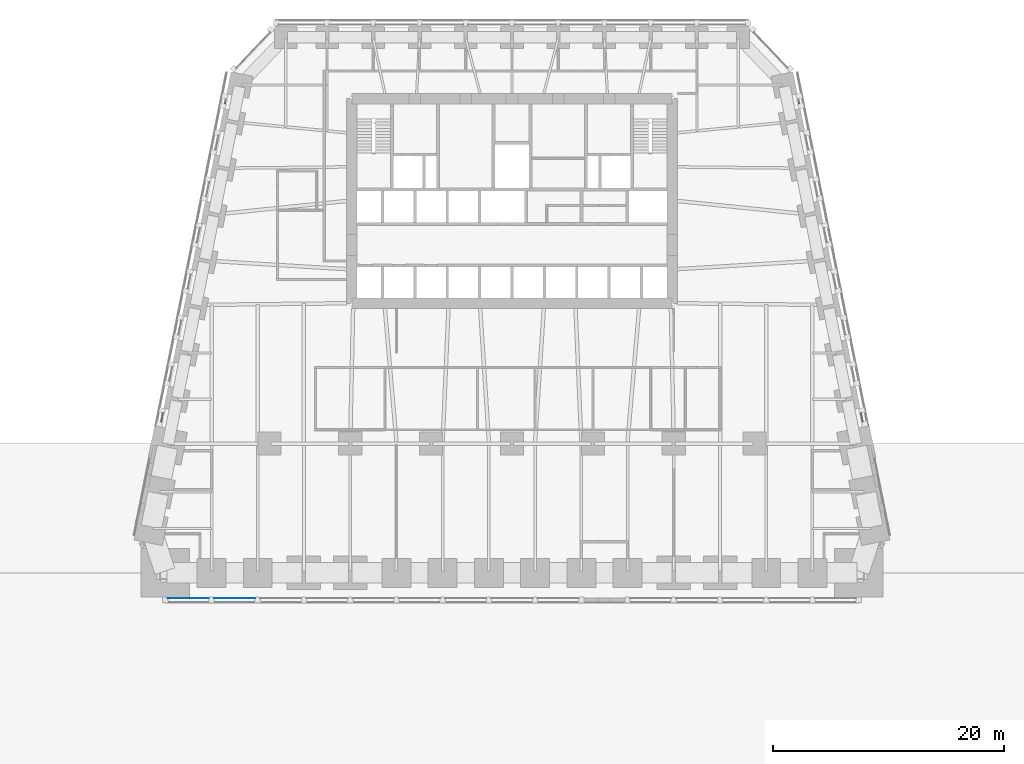
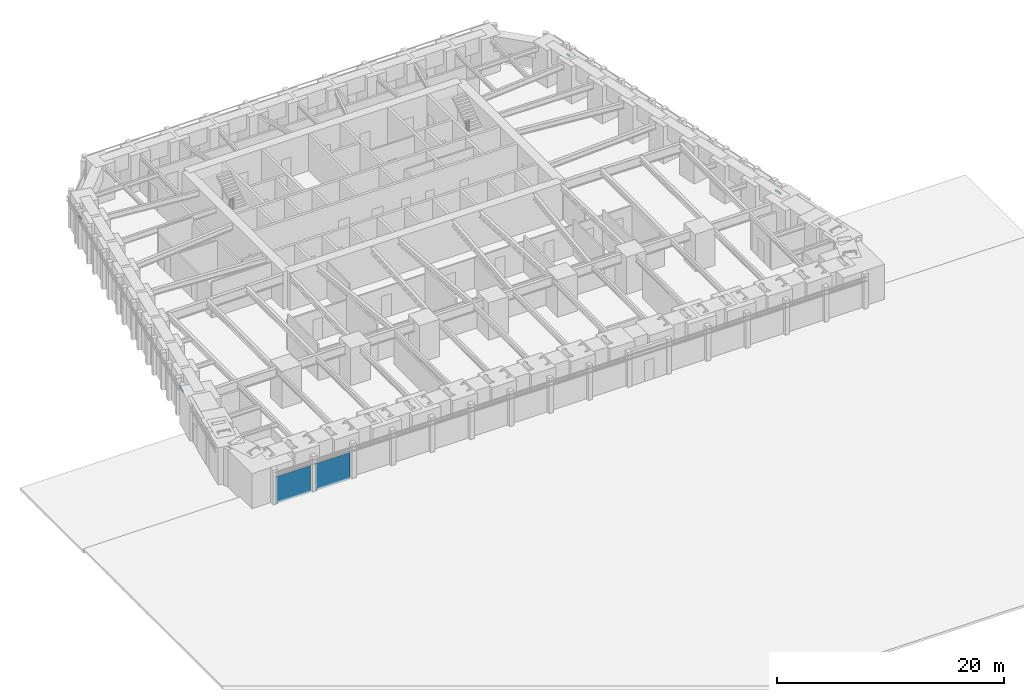
# One storey, part 5 of 18: 4 members, 2 plates, 5 elements without a shape of their own.
"""IFC4 building model written with IfcOpenShell, lengths in metres."""

from ifc_helpers import new_model, si_unit, direction, frame, origin, origin_2d, place, context, subcontext, project, spatial, rectangle, extrude, material, layer, layer_set, material_profile, profile_set, type_object, element, aggregate, save


model = new_model("IFC4")

# Units and contexts
model_context = context("Model", 3, precision=1e-05, world=origin(), true_north=direction((0.0, 1.0)))
body_context = subcontext(model_context, "Body", "Model", "MODEL_VIEW")
ifc_project = project(units=[si_unit("LENGTHUNIT", "METRE"), si_unit("AREAUNIT", "SQUARE_METRE"), si_unit("VOLUMEUNIT", "CUBIC_METRE"), si_unit("PLANEANGLEUNIT", "RADIAN"), si_unit("MASSUNIT", "GRAM", prefix="KILO")], contexts=[model_context])

# Site, building, storey
site_placement = place(None, origin())
site = spatial("IfcSite", under=ifc_project, at=site_placement, CompositionType="ELEMENT")
building_placement = place(site_placement, origin())
building = spatial("IfcBuilding", under=site, at=building_placement, Name="Isbrekke Arena Tower", CompositionType="ELEMENT")
storey_placement = place(building_placement, frame((0.0, 0.0, 28.0)))
storey = spatial("IfcBuildingStorey", under=building, at=storey_placement, Name="L04", CompositionType="ELEMENT", Elevation=28.0)

# Curtain wall, member
ifc_material_1 = material(Name="Glazed aluminium curtain wall", Category="aluminium")
curtain_wall_type = type_object("IfcCurtainWallType", Name="CWL TOWER CURTAIN WALL LOW ZONE", PredefinedType="USERDEFINED", material=ifc_material_1)
curtain_wall_1_placement = place(storey_placement, origin())
curtain_wall_1 = element("IfcCurtainWall", 1, at=curtain_wall_1_placement, inside=storey, type_object=curtain_wall_type, Name="CWL curtain wall L04-E2", ObjectType="TOWER CURTAIN WALL LOW ZONE", PredefinedType="USERDEFINED")
ifc_material_2 = material(Name="Aluminium transom", Category="aluminium")
ifc_material_profile = material_profile(ifc_material_2, rectangle(XDim=0.1201171875, YDim=0.199951171875, at=origin_2d()), Name="TRANSOM 120X200")
ifc_profile_set = profile_set([ifc_material_profile], Name="Aluminium transom")
member_type = type_object("IfcMemberType", Name="CWL-T TRANSOM 120 x 200", PredefinedType="USERDEFINED", material=ifc_profile_set)
member_1_placement = place(storey_placement, frame((30.350341796875, -4.1142578125, 3.0), z_axis=(-0.195991946551, 0.98060550523, 0.0), x_axis=(-0.98060550523, -0.195991946551, 0.0)))
member_1 = element("IfcMember", 2, at=member_1_placement, type_object=member_type, Name="CWL-T transom 1", ObjectType="TRANSOM", PredefinedType="USERDEFINED", context=body_context, shape_type="SweptSolid", body=[
    extrude(rectangle(XDim=0.1201171875, YDim=0.199951171875, at=origin_2d()), origin(), (0.0, 0.0, 1.0), 0.756103515625),
])
aggregate(curtain_wall_1, [member_1])

curtain_wall_2_placement = place(storey_placement, origin())
curtain_wall_2 = element("IfcCurtainWall", 3, at=curtain_wall_2_placement, inside=storey, type_object=curtain_wall_type, Name="CWL curtain wall L04-E215", ObjectType="TOWER CURTAIN WALL LOW ZONE", PredefinedType="USERDEFINED")
member_2_placement = place(storey_placement, frame((24.843017578125, 23.421875, 3.0), z_axis=(-0.196000512897, 0.98060379305, 0.0), x_axis=(-0.98060379305, -0.196000512897, 0.0)))
member_2 = element("IfcMember", 4, at=member_2_placement, type_object=member_type, Name="CWL-T transom 1", ObjectType="TRANSOM", PredefinedType="USERDEFINED", context=body_context, shape_type="SweptSolid", body=[
    extrude(rectangle(XDim=0.1201171875, YDim=0.199951171875, at=origin_2d()), origin(), (0.0, 0.0, 1.0), 0.406005859375),
])
aggregate(curtain_wall_2, [member_2])

curtain_wall_3_placement = place(storey_placement, origin())
curtain_wall_3 = element("IfcCurtainWall", 5, at=curtain_wall_3_placement, inside=storey, type_object=curtain_wall_type, Name="CWL curtain wall L04-W", ObjectType="TOWER CURTAIN WALL LOW ZONE", PredefinedType="USERDEFINED")
member_3_placement = place(storey_placement, frame((-24.763427734375, 23.820068359375, 3.0), z_axis=(-0.196000512897, -0.98060379305, 0.0), x_axis=(0.98060379305, -0.196000512897, 0.0)))
member_3 = element("IfcMember", 6, at=member_3_placement, type_object=member_type, Name="CWL-T transom 1", ObjectType="TRANSOM", PredefinedType="USERDEFINED", context=body_context, shape_type="SweptSolid", body=[
    extrude(rectangle(XDim=0.1201171875, YDim=0.199951171875, at=origin_2d()), origin(), (0.0, 0.0, 1.0), 0.406005859375),
])
aggregate(curtain_wall_3, [member_3])

curtain_wall_4_placement = place(storey_placement, origin())
curtain_wall_4 = element("IfcCurtainWall", 7, at=curtain_wall_4_placement, inside=storey, type_object=curtain_wall_type, Name="CWL curtain wall L04-W15", ObjectType="TOWER CURTAIN WALL LOW ZONE", PredefinedType="USERDEFINED")
member_4_placement = place(storey_placement, frame((-30.2021484375, -3.372802734375, 3.0), z_axis=(-0.195991946551, -0.98060550523, 0.0), x_axis=(0.98060550523, -0.195991946551, 0.0)))
member_4 = element("IfcMember", 8, at=member_4_placement, type_object=member_type, Name="CWL-T transom 1", ObjectType="TRANSOM", PredefinedType="USERDEFINED", context=body_context, shape_type="SweptSolid", body=[
    extrude(rectangle(XDim=0.1201171875, YDim=0.199951171875, at=origin_2d()), origin(), (0.0, 0.0, 1.0), 0.756103515625),
])
aggregate(curtain_wall_4, [member_4])

# Curtain wall, plates
curtain_wall_5_placement = place(storey_placement, origin())
curtain_wall_5 = element("IfcCurtainWall", 9, at=curtain_wall_5_placement, inside=storey, type_object=curtain_wall_type, Name="CWL curtain wall L04-S", ObjectType="TOWER CURTAIN WALL LOW ZONE", PredefinedType="USERDEFINED")
ifc_material_3 = material(Name="Triple-glazed clear glass unit", Category="glass")
ifc_layer = layer(ifc_material_3, 0.031982421875)
ifc_layer_set = layer_set([ifc_layer], Name="CWL-P VISION PANEL")
plate_type = type_object("IfcPlateType", Name="CWL-P VISION PANEL", PredefinedType="CURTAIN_PANEL", material=ifc_layer_set)
plate_1_placement = place(storey_placement, frame((-28.0, -19.375, 0.02001953125), z_axis=(0.0, 0.0, 1.0), x_axis=(1.0, 0.0, 0.0)))
plate_1 = element("IfcPlate", 10, at=plate_1_placement, type_object=plate_type, Name="CWL-P panel 1", PredefinedType="CURTAIN_PANEL", context=body_context, shape_type="SweptSolid", body=[
    extrude(rectangle(XDim=3.550048828125, YDim=0.031982421875, at=origin_2d()), origin(), (0.0, 0.0, 1.0), 2.8798828125),
])
plate_2_placement = place(storey_placement, frame((-24.0, -19.375, 0.02001953125), z_axis=(0.0, 0.0, 1.0), x_axis=(1.0, 0.0, 0.0)))
plate_2 = element("IfcPlate", 11, at=plate_2_placement, type_object=plate_type, Name="CWL-P panel 2", PredefinedType="CURTAIN_PANEL", context=body_context, shape_type="SweptSolid", body=[
    extrude(rectangle(XDim=3.550048828125, YDim=0.031982421875, at=origin_2d()), origin(), (0.0, 0.0, 1.0), 2.8798828125),
])
aggregate(curtain_wall_5, [plate_1, plate_2])

save(model, "model.ifc")
